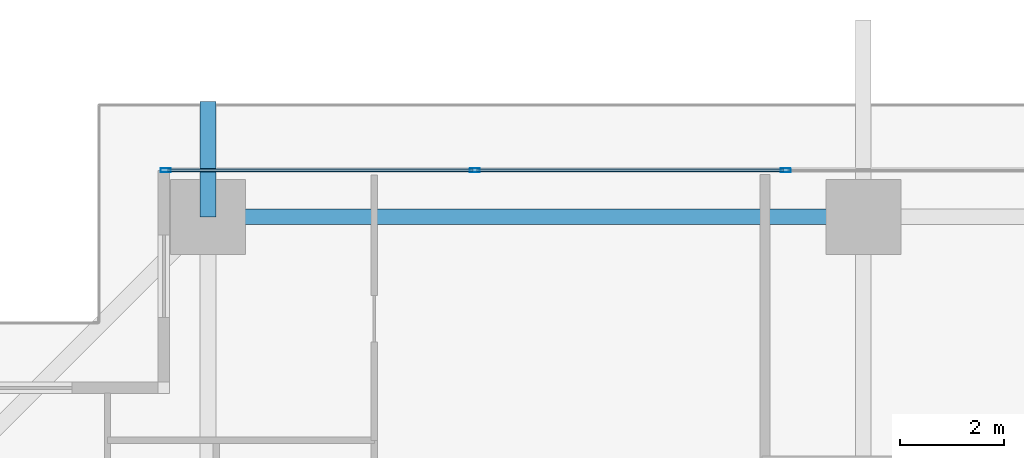
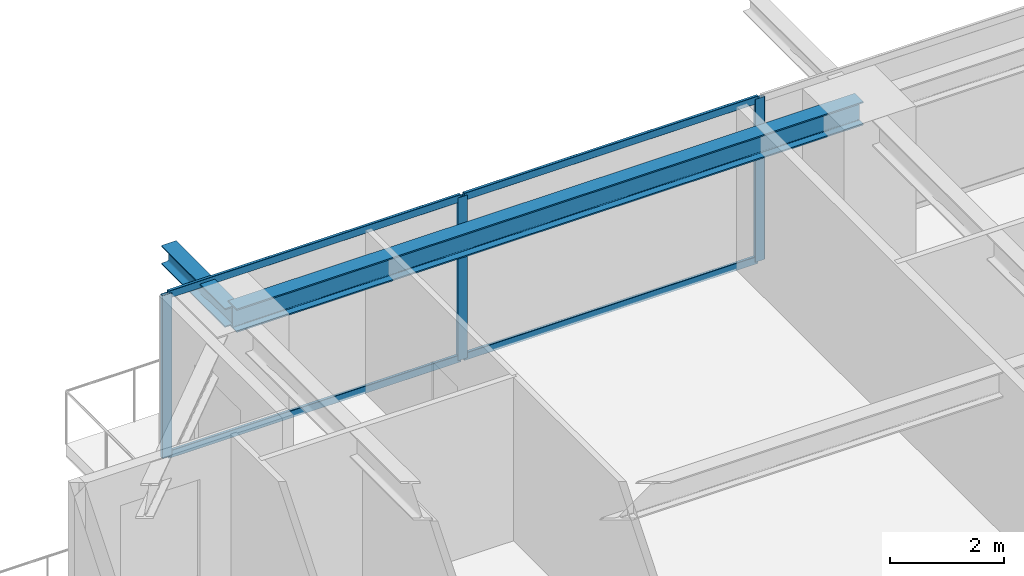
# One storey, part 20 of 39: 7 members, 2 beams, 1 element without a shape of its own.
"""IFC4 building model written with IfcOpenShell, lengths in metres."""

from ifc_helpers import new_model, si_unit, direction, frame, origin, origin_2d, place, context, subcontext, project, spatial, hollow_rectangle, i_section, extrude, source, transform, mapped, material, layer, layer_set, material_profile, profile_set, type_object, element, aggregate, save


model = new_model("IFC4")

# Units and contexts
model_context = context("Model", 3, precision=1e-05, world=origin(), true_north=direction((0.0, 1.0)))
body_context = subcontext(model_context, "Body", "Model", "MODEL_VIEW")
ifc_project = project(units=[si_unit("LENGTHUNIT", "METRE"), si_unit("AREAUNIT", "SQUARE_METRE"), si_unit("VOLUMEUNIT", "CUBIC_METRE"), si_unit("PLANEANGLEUNIT", "RADIAN"), si_unit("MASSUNIT", "GRAM", prefix="KILO")], contexts=[model_context])

# Site, building, storey
site_placement = place(None, origin())
site = spatial("IfcSite", under=ifc_project, at=site_placement, CompositionType="ELEMENT")
building_placement = place(site_placement, origin())
building = spatial("IfcBuilding", under=site, at=building_placement, Name="Serunith Strait Residences", CompositionType="ELEMENT")
storey_placement = place(building_placement, frame((0.0, 0.0, 49.199951171875)))
storey = spatial("IfcBuildingStorey", under=building, at=storey_placement, Name="L11", CompositionType="ELEMENT", Elevation=49.199951171875)

# Beams
ifc_material_1 = material(Name="Steel S355J2", Category="steel")
ifc_material_profile_1 = material_profile(ifc_material_1, i_section(OverallWidth=0.300048828125, OverallDepth=0.5, WebThickness=0.014404296875, FlangeThickness=0.028076171875, FilletRadius=0.027099609375, at=origin_2d()), Name="HEB 500")
ifc_profile_set_1 = profile_set([ifc_material_profile_1], Name="Steel S355J2")
beam_type_1 = type_object("IfcBeamType", Name="BM-HEB500", PredefinedType="BEAM", material=ifc_profile_set_1)
shared_shape_1 = source(origin(), body_context, "Body", "SweptSolid", [
    extrude(i_section(OverallWidth=0.300048828125, OverallDepth=0.5, WebThickness=0.014404296875, FlangeThickness=0.028076171875, FilletRadius=0.027099609375, at=origin_2d()), origin(), (0.0, 0.0, 1.0), 12.64990234375),
])
beam_1_placement = place(storey_placement, frame((27.89990234375, 49.300048828125, 3.237060546875), z_axis=(-1.0, 0.0, 0.0), x_axis=(0.0, -1.0, 0.0)))
element("IfcBeam", 1, at=beam_1_placement, inside=storey, type_object=beam_type_1, Name="L11 Perimeter Ring Beam 11", PredefinedType="BEAM", context=body_context, shape_type="MappedRepresentation", body=[
    mapped(shared_shape_1, transform((0.0, 0.0, 0.0), scale=1.0)),
])
ifc_material_profile_2 = material_profile(ifc_material_1, i_section(OverallWidth=0.300048828125, OverallDepth=0.39990234375, WebThickness=0.013427734375, FlangeThickness=0.02392578125, FilletRadius=0.027099609375, at=origin_2d()), Name="HEB 400")
ifc_profile_set_2 = profile_set([ifc_material_profile_2], Name="Steel S355J2")
beam_type_2 = type_object("IfcBeamType", Name="BM-HEB400", PredefinedType="BEAM", material=ifc_profile_set_2)
shared_shape_2 = source(origin(), body_context, "Body", "SweptSolid", [
    extrude(i_section(OverallWidth=0.300048828125, OverallDepth=0.39990234375, WebThickness=0.013427734375, FlangeThickness=0.02392578125, FilletRadius=0.027099609375, at=origin_2d()), origin(), (0.0, 0.0, 1.0), 2.227783203125),
])
beam_2_placement = place(storey_placement, frame((15.25, 49.300048828125, 3.257080078125), z_axis=(0.0, 1.0, 0.0), x_axis=(-1.0, 0.0, 0.0)))
element("IfcBeam", 2, at=beam_2_placement, inside=storey, type_object=beam_type_2, Name="L12 Cantilevered Balcony Rib TC-N1", PredefinedType="BEAM", context=body_context, shape_type="MappedRepresentation", body=[
    mapped(shared_shape_2, transform((0.0, 0.0, 0.0), scale=1.0)),
])

# Curtain wall, members
ifc_material_2 = material(Name="Pale-Champagne Anodised Aluminium", Category="aluminium")
ifc_layer = layer(ifc_material_2, 0.199951171875, Name="Pale-Champagne Anodised Aluminium")
ifc_layer_set = layer_set([ifc_layer], Name="Pale-Champagne Anodised Aluminium")
curtain_wall_type = type_object("IfcCurtainWallType", Name="CW-SYS1", PredefinedType="NOTDEFINED", material=ifc_layer_set)
curtain_wall_placement = place(storey_placement, origin())
curtain_wall = element("IfcCurtainWall", 3, at=curtain_wall_placement, inside=storey, type_object=curtain_wall_type, Name="L11 N Unitised Fritted Curtain Wall", PredefinedType="NOTDEFINED")
ifc_material_profile_3 = material_profile(ifc_material_2, hollow_rectangle(XDim=0.070068359375, YDim=0.199951171875, WallThickness=0.00390625, InnerFilletRadius=0.006103515625, OuterFilletRadius=0.010009765625, at=origin_2d()), Name="ALU 200x70x4")
ifc_profile_set_3 = profile_set([ifc_material_profile_3], Name="Pale-Champagne Anodised Aluminium")
member_type_1 = type_object("IfcMemberType", Name="CW-SYS1-MULL", PredefinedType="MULLION", material=ifc_profile_set_3)
shared_shape_3 = source(origin(), body_context, "Body", "SweptSolid", [
    extrude(hollow_rectangle(XDim=0.070068359375, YDim=0.199951171875, WallThickness=0.00390625, InnerFilletRadius=0.006103515625, OuterFilletRadius=0.010009765625, at=origin_2d()), origin(), (0.0, 0.0, 1.0), 3.47509765625),
])
member_1_placement = place(storey_placement, frame((26.39990234375, 50.199951171875, 0.0), z_axis=(0.0, 0.0, 1.0), x_axis=(0.0, -1.0, 0.0)))
member_1 = element("IfcMember", 4, at=member_1_placement, type_object=member_type_1, Name="CW-1 mullion 5", PredefinedType="MULLION", context=body_context, shape_type="MappedRepresentation", body=[
    mapped(shared_shape_3, transform((0.0, 0.0, 0.0), scale=1.0)),
])
member_2_placement = place(storey_placement, frame((20.39990234375, 50.199951171875, 0.0), z_axis=(0.0, 0.0, 1.0), x_axis=(0.0, -1.0, 0.0)))
member_2 = element("IfcMember", 5, at=member_2_placement, type_object=member_type_1, Name="CW-1 mullion 6", PredefinedType="MULLION", context=body_context, shape_type="MappedRepresentation", body=[
    mapped(shared_shape_3, transform((0.0, 0.0, 0.0), scale=1.0)),
])
member_3_placement = place(storey_placement, frame((14.43505859375, 50.199951171875, 0.0), z_axis=(0.0, 0.0, 1.0), x_axis=(0.0, -1.0, 0.0)))
member_3 = element("IfcMember", 6, at=member_3_placement, type_object=member_type_1, Name="CW-1 mullion 7", PredefinedType="MULLION", context=body_context, shape_type="MappedRepresentation", body=[
    mapped(shared_shape_3, transform((0.0, 0.0, 0.0), scale=1.0)),
])
ifc_material_profile_4 = material_profile(ifc_material_2, hollow_rectangle(XDim=0.06005859375, YDim=0.159912109375, WallThickness=0.00341796875, InnerFilletRadius=0.00537109375, OuterFilletRadius=0.0087890625, at=origin_2d()), Name="ALU 160x60x3.5")
ifc_profile_set_4 = profile_set([ifc_material_profile_4], Name="Pale-Champagne Anodised Aluminium")
member_type_2 = type_object("IfcMemberType", Name="CW-SYS1-TRAN", PredefinedType="USERDEFINED", material=ifc_profile_set_4)
shared_shape_4 = source(origin(), body_context, "Body", "SweptSolid", [
    extrude(hollow_rectangle(XDim=0.06005859375, YDim=0.159912109375, WallThickness=0.00341796875, InnerFilletRadius=0.00537109375, OuterFilletRadius=0.0087890625, at=origin_2d()), origin(), (0.0, 0.0, 1.0), 5.89501953125),
])
member_4_placement = place(storey_placement, frame((20.364990234375, 50.199951171875, 0.030029296875), z_axis=(-1.0, 0.0, 0.0), x_axis=(0.0, -1.0, 0.0)))
member_4 = element("IfcMember", 7, at=member_4_placement, type_object=member_type_2, Name="CW-1 transom 6.1", ObjectType="TRANSOM", PredefinedType="USERDEFINED", context=body_context, shape_type="MappedRepresentation", body=[
    mapped(shared_shape_4, transform((0.0, 0.0, 0.0), scale=1.0)),
])
member_5_placement = place(storey_placement, frame((20.364990234375, 50.199951171875, 3.445068359375), z_axis=(-1.0, 0.0, 0.0), x_axis=(0.0, -1.0, 0.0)))
member_5 = element("IfcMember", 8, at=member_5_placement, type_object=member_type_2, Name="CW-1 transom 6.2", ObjectType="TRANSOM", PredefinedType="USERDEFINED", context=body_context, shape_type="MappedRepresentation", body=[
    mapped(shared_shape_4, transform((0.0, 0.0, 0.0), scale=1.0)),
])
shared_shape_5 = source(origin(), body_context, "Body", "SweptSolid", [
    extrude(hollow_rectangle(XDim=0.06005859375, YDim=0.159912109375, WallThickness=0.00341796875, InnerFilletRadius=0.00537109375, OuterFilletRadius=0.0087890625, at=origin_2d()), origin(), (0.0, 0.0, 1.0), 5.929931640625),
])
member_6_placement = place(storey_placement, frame((26.364990234375, 50.199951171875, 0.030029296875), z_axis=(-1.0, 0.0, 0.0), x_axis=(0.0, -1.0, 0.0)))
member_6 = element("IfcMember", 9, at=member_6_placement, type_object=member_type_2, Name="CW-1 transom 5.1", ObjectType="TRANSOM", PredefinedType="USERDEFINED", context=body_context, shape_type="MappedRepresentation", body=[
    mapped(shared_shape_5, transform((0.0, 0.0, 0.0), scale=1.0)),
])
member_7_placement = place(storey_placement, frame((26.364990234375, 50.199951171875, 3.445068359375), z_axis=(-1.0, 0.0, 0.0), x_axis=(0.0, -1.0, 0.0)))
member_7 = element("IfcMember", 10, at=member_7_placement, type_object=member_type_2, Name="CW-1 transom 5.2", ObjectType="TRANSOM", PredefinedType="USERDEFINED", context=body_context, shape_type="MappedRepresentation", body=[
    mapped(shared_shape_5, transform((0.0, 0.0, 0.0), scale=1.0)),
])
aggregate(curtain_wall, [member_1, member_2, member_3, member_6, member_7, member_4, member_5])

save(model, "model.ifc")
